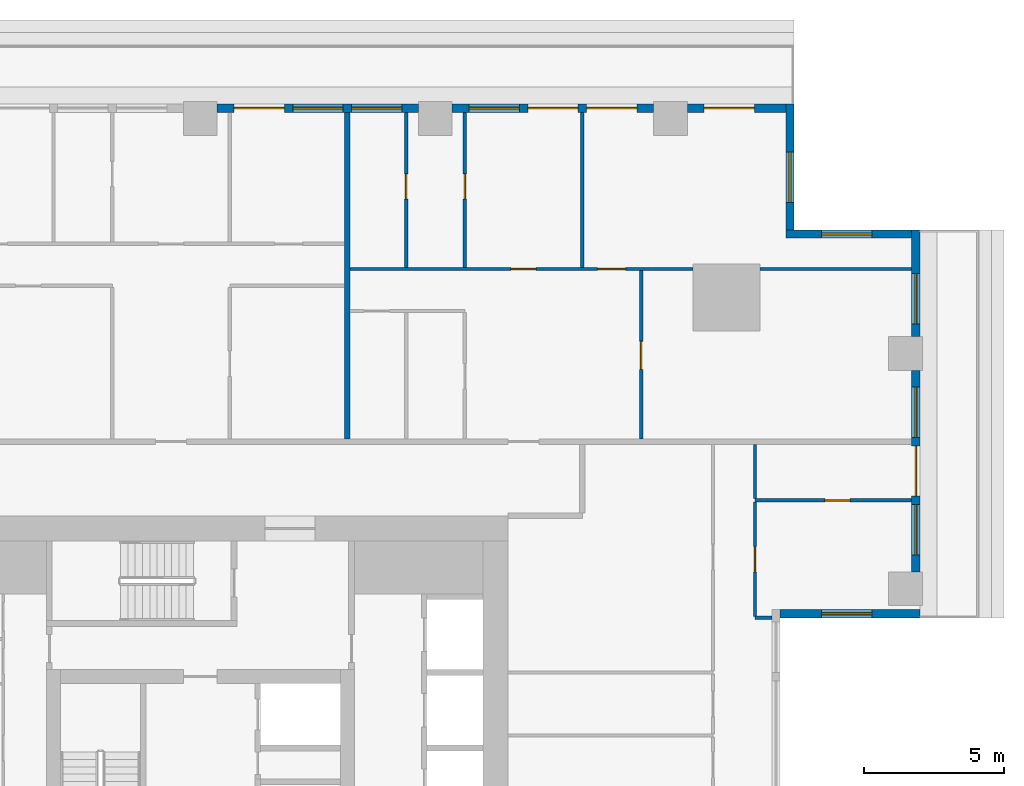
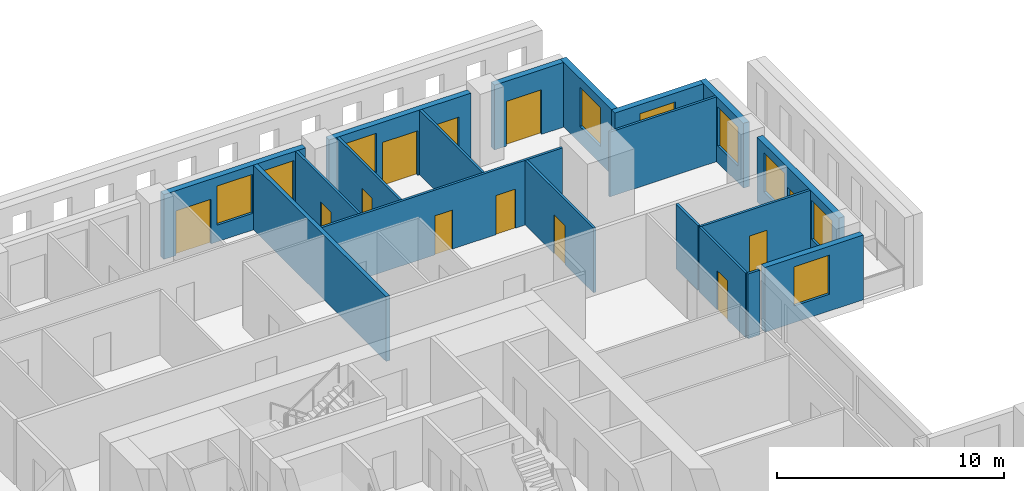
# One storey, part 9 of 16: 19 walls, 12 doors, 9 windows, 21 openings.
"""IFC4 building model written with IfcOpenShell, lengths in metres."""

from ifc_helpers import new_model, si_unit, direction, frame, frame_2d, origin, place, context, subcontext, project, spatial, rectangle, extrude, material, layer, layer_set, type_object, element, fill, save


model = new_model("IFC4")

# Units and contexts
model_context = context("Model", 3, precision=1e-05, world=origin(), true_north=direction((0.0, 1.0)))
body_context = subcontext(model_context, "Body", "Model", "MODEL_VIEW")
ifc_project = project(units=[si_unit("LENGTHUNIT", "METRE"), si_unit("AREAUNIT", "SQUARE_METRE"), si_unit("VOLUMEUNIT", "CUBIC_METRE"), si_unit("PLANEANGLEUNIT", "RADIAN"), si_unit("MASSUNIT", "GRAM", prefix="KILO")], contexts=[model_context])

# Site, building, storey
site_placement = place(None, origin())
site = spatial("IfcSite", under=ifc_project, at=site_placement, CompositionType="ELEMENT")
building_placement = place(site_placement, origin())
building = spatial("IfcBuilding", under=site, at=building_placement, Name="Khepri Terraces", CompositionType="ELEMENT")
storey_placement = place(building_placement, frame((0.0, 0.0, 207.89990234375)))
storey = spatial("IfcBuildingStorey", under=building, at=storey_placement, Name="L49", CompositionType="ELEMENT", Elevation=207.89990234375)

# Wall
ifc_material_1 = material(Name="Fire-rated gypsum plasterboard partition, mineral wool")
ifc_layer_1 = layer(ifc_material_1, 0.199951171875, Name="Fire-rated gypsum plasterboard partition, mineral wool")
ifc_layer_set_1 = layer_set([ifc_layer_1], Name="Fire-rated gypsum plasterboard partition, mineral wool")
wall_type_1 = type_object("IfcWallType", Name="WL-CORR-200", PredefinedType="PARTITIONING", material=ifc_layer_set_1)
wall_1_placement = place(storey_placement, frame((5.25, 13.75, 0.0), z_axis=(0.0, 0.0, 1.0), x_axis=(0.0, 1.0, 0.0)))
element("IfcWall", 1, at=wall_1_placement, inside=storey, type_object=wall_type_1, Name="Partition P-082 L49", PredefinedType="PARTITIONING", context=body_context, shape_type="SweptSolid", body=[
    extrude(rectangle(XDim=11.669921875, YDim=0.199951171875, at=frame_2d((5.8349609375, 0.0))), origin(), (0.0, 0.0, 1.0), 3.47998046875),
])

# Wall, opening, window
ifc_material_2 = material(Name="Precast concrete C50/60 warm stone", Category="masonry")
ifc_layer_2 = layer(ifc_material_2, 0.300048828125, Name="Precast concrete C50/60 warm stone", Category="masonry")
ifc_layer_set_2 = layer_set([ifc_layer_2], Name="Precast concrete C50/60 warm stone")
wall_type_2 = type_object("IfcWallType", Name="WL-EXT-PRECAST-300", PredefinedType="STANDARD", material=ifc_layer_set_2)
wall_2_placement = place(storey_placement, frame((20.719970703125, 7.5, 0.0), z_axis=(0.0, 0.0, 1.0), x_axis=(1.0, 0.0, 0.0)))
wall_2 = element("IfcWall", 2, at=wall_2_placement, inside=storey, type_object=wall_type_2, Name="External wall L49 S", PredefinedType="STANDARD", context=body_context, shape_type="SweptSolid", body=[
    extrude(rectangle(XDim=5.0, YDim=0.300048828125, at=frame_2d((2.5, 0.0))), origin(), (0.0, 0.0, 1.0), 3.47998046875),
])
opening_1_placement = place(wall_2_placement, frame((1.47998046875, 0.0, 0.89990234375)))
opening_1 = element("IfcOpeningElement", 3, at=opening_1_placement, cuts=wall_2, Name="Opening W1", PredefinedType="OPENING", context=body_context, shape_type="SweptSolid", body=[
    extrude(rectangle(XDim=1.800048828125, YDim=2.10009765625, at=frame_2d((0.89990234375, 1.050048828125))), frame((0.0, 0.16015625, 0.0), z_axis=(0.0, -1.0, 0.0), x_axis=(1.0, 0.0, 0.0)), (0.0, 0.0, 1.0), 0.320068359375),
])
ifc_material_3 = material(Name="Clear glass", Category="glass")
window_type = type_object("IfcWindowType", Name="WIN-RES-1800x2100", PartitioningType="SINGLE_PANEL", PredefinedType="WINDOW", material=ifc_material_3)
window_1_placement = place(opening_1_placement, origin())
window_1 = element("IfcWindow", 4, at=window_1_placement, inside=storey, type_object=window_type, Name="Window L49 S", OverallHeight=2.10009765625, OverallWidth=1.800048828125, PartitioningType="SINGLE_PANEL", PredefinedType="WINDOW", context=body_context, shape_type="SweptSolid", body=[
    extrude(rectangle(XDim=1.800048828125, YDim=2.10009765625, at=frame_2d((0.89990234375, 1.050048828125))), frame((0.0, 0.030029296875, 0.0), z_axis=(0.0, -1.0, 0.0), x_axis=(1.0, 0.0, 0.0)), (0.0, 0.0, 1.0), 0.06005859375),
])
fill(opening_1, window_1)

# Wall, openings, door, windows
wall_3_placement = place(storey_placement, frame((25.570068359375, 9.0, 0.0), z_axis=(0.0, 0.0, 1.0), x_axis=(0.0, 1.0, 0.0)))
wall_3 = element("IfcWall", 5, at=wall_3_placement, inside=storey, type_object=wall_type_2, Name="External wall L49 E", PredefinedType="STANDARD", context=body_context, shape_type="SweptSolid", body=[
    extrude(rectangle(XDim=7.199951171875, YDim=0.300048828125, at=frame_2d((3.60009765625, 0.0))), origin(), (0.0, 0.0, 1.0), 3.47998046875),
])
opening_2_placement = place(wall_3_placement, frame((0.60009765625, 0.0, 0.89990234375)))
opening_2 = element("IfcOpeningElement", 6, at=opening_2_placement, cuts=wall_3, Name="Opening W1", PredefinedType="OPENING", context=body_context, shape_type="SweptSolid", body=[
    extrude(rectangle(XDim=1.800048828125, YDim=2.10009765625, at=frame_2d((0.89990234375, 1.050048828125))), frame((0.0, 0.16015625, 0.0), z_axis=(0.0, -1.0, 0.0), x_axis=(1.0, 0.0, 0.0)), (0.0, 0.0, 1.0), 0.320068359375),
])
opening_3_placement = place(wall_3_placement, frame((2.699951171875, 0.0, 0.0)))
opening_3 = element("IfcOpeningElement", 7, at=opening_3_placement, cuts=wall_3, Name="Opening ED-L49-04", PredefinedType="OPENING", context=body_context, shape_type="SweptSolid", body=[
    extrude(rectangle(XDim=1.800048828125, YDim=2.39990234375, at=frame_2d((0.89990234375, 1.199951171875))), frame((0.0, 0.16015625, 0.0), z_axis=(0.0, -1.0, 0.0), x_axis=(1.0, 0.0, 0.0)), (0.0, 0.0, 1.0), 0.320068359375),
])
opening_4_placement = place(wall_3_placement, frame((4.800048828125, 0.0, 0.89990234375)))
opening_4 = element("IfcOpeningElement", 8, at=opening_4_placement, cuts=wall_3, Name="Opening W1", PredefinedType="OPENING", context=body_context, shape_type="SweptSolid", body=[
    extrude(rectangle(XDim=1.800048828125, YDim=2.10009765625, at=frame_2d((0.89990234375, 1.050048828125))), frame((0.0, 0.16015625, 0.0), z_axis=(0.0, -1.0, 0.0), x_axis=(1.0, 0.0, 0.0)), (0.0, 0.0, 1.0), 0.320068359375),
])
ifc_material_4 = material(Name="Anodised aluminium bronze glazed door", Category="aluminium")
door_type_1 = type_object("IfcDoorType", Name="DR-BAL-SLIDE-1800x2400", OperationType="NOTDEFINED", PredefinedType="DOOR", material=ifc_material_4)
door_1_placement = place(opening_3_placement, origin())
door_1 = element("IfcDoor", 9, at=door_1_placement, inside=storey, type_object=door_type_1, Name="Balcony door L49 E", OperationType="SLIDING_TO_RIGHT", OverallHeight=2.39990234375, OverallWidth=1.800048828125, PredefinedType="DOOR", context=body_context, shape_type="SweptSolid", body=[
    extrude(rectangle(XDim=1.800048828125, YDim=2.39990234375, at=frame_2d((0.89990234375, 1.199951171875))), frame((0.0, 0.02490234375, 0.0), z_axis=(0.0, -1.0, 0.0), x_axis=(1.0, 0.0, 0.0)), (0.0, 0.0, 1.0), 0.050048828125),
])
fill(opening_3, door_1)
window_2_placement = place(opening_2_placement, origin())
window_2 = element("IfcWindow", 10, at=window_2_placement, inside=storey, type_object=window_type, Name="Window L49 E", OverallHeight=2.10009765625, OverallWidth=1.800048828125, PartitioningType="SINGLE_PANEL", PredefinedType="WINDOW", context=body_context, shape_type="SweptSolid", body=[
    extrude(rectangle(XDim=1.800048828125, YDim=2.10009765625, at=frame_2d((0.89990234375, 1.050048828125))), frame((0.0, 0.030029296875, 0.0), z_axis=(0.0, -1.0, 0.0), x_axis=(1.0, 0.0, 0.0)), (0.0, 0.0, 1.0), 0.06005859375),
])
fill(opening_2, window_2)
window_3_placement = place(opening_4_placement, origin())
window_3 = element("IfcWindow", 11, at=window_3_placement, inside=storey, type_object=window_type, Name="Window L49 E", OverallHeight=2.10009765625, OverallWidth=1.800048828125, PartitioningType="SINGLE_PANEL", PredefinedType="WINDOW", context=body_context, shape_type="SweptSolid", body=[
    extrude(rectangle(XDim=1.800048828125, YDim=2.10009765625, at=frame_2d((0.89990234375, 1.050048828125))), frame((0.0, 0.030029296875, 0.0), z_axis=(0.0, -1.0, 0.0), x_axis=(1.0, 0.0, 0.0)), (0.0, 0.0, 1.0), 0.06005859375),
])
fill(opening_4, window_3)

# Wall, opening, window
wall_4_placement = place(storey_placement, frame((25.570068359375, 17.39990234375, 0.0), z_axis=(0.0, 0.0, 1.0), x_axis=(0.0, 1.0, 0.0)))
wall_4 = element("IfcWall", 12, at=wall_4_placement, inside=storey, type_object=wall_type_2, Name="External wall L49 E", PredefinedType="STANDARD", context=body_context, shape_type="SweptSolid", body=[
    extrude(rectangle(XDim=3.820068359375, YDim=0.300048828125, at=frame_2d((1.91015625, 0.0))), origin(), (0.0, 0.0, 1.0), 3.47998046875),
])
opening_5_placement = place(wall_4_placement, frame((0.4599609375, 0.0, 0.89990234375)))
opening_5 = element("IfcOpeningElement", 13, at=opening_5_placement, cuts=wall_4, Name="Opening W1", PredefinedType="OPENING", context=body_context, shape_type="SweptSolid", body=[
    extrude(rectangle(XDim=1.800048828125, YDim=2.10009765625, at=frame_2d((0.89990234375, 1.050048828125))), frame((0.0, 0.16015625, 0.0), z_axis=(0.0, -1.0, 0.0), x_axis=(1.0, 0.0, 0.0)), (0.0, 0.0, 1.0), 0.320068359375),
])
window_4_placement = place(opening_5_placement, origin())
window_4 = element("IfcWindow", 14, at=window_4_placement, inside=storey, type_object=window_type, Name="Window L49 E", OverallHeight=2.10009765625, OverallWidth=1.800048828125, PartitioningType="SINGLE_PANEL", PredefinedType="WINDOW", context=body_context, shape_type="SweptSolid", body=[
    extrude(rectangle(XDim=1.800048828125, YDim=2.10009765625, at=frame_2d((0.89990234375, 1.050048828125))), frame((0.0, 0.030029296875, 0.0), z_axis=(0.0, -1.0, 0.0), x_axis=(1.0, 0.0, 0.0)), (0.0, 0.0, 1.0), 0.06005859375),
])
fill(opening_5, window_4)

wall_5_placement = place(storey_placement, frame((25.419921875, 21.070068359375, 0.0), z_axis=(0.0, 0.0, 1.0), x_axis=(-1.0, 0.0, 0.0)))
wall_5 = element("IfcWall", 15, at=wall_5_placement, inside=storey, type_object=wall_type_2, Name="External wall L49 N", PredefinedType="STANDARD", context=body_context, shape_type="SweptSolid", body=[
    extrude(rectangle(XDim=4.5, YDim=0.300048828125, at=frame_2d((2.25, 0.0))), origin(), (0.0, 0.0, 1.0), 3.47998046875),
])
opening_6_placement = place(wall_5_placement, frame((1.419921875, 0.0, 0.89990234375)))
opening_6 = element("IfcOpeningElement", 16, at=opening_6_placement, cuts=wall_5, Name="Opening W1", PredefinedType="OPENING", context=body_context, shape_type="SweptSolid", body=[
    extrude(rectangle(XDim=1.800048828125, YDim=2.10009765625, at=frame_2d((0.89990234375, 1.050048828125))), frame((0.0, 0.16015625, 0.0), z_axis=(0.0, -1.0, 0.0), x_axis=(1.0, 0.0, 0.0)), (0.0, 0.0, 1.0), 0.320068359375),
])
window_5_placement = place(opening_6_placement, origin())
window_5 = element("IfcWindow", 17, at=window_5_placement, inside=storey, type_object=window_type, Name="Window L49 N", OverallHeight=2.10009765625, OverallWidth=1.800048828125, PartitioningType="SINGLE_PANEL", PredefinedType="WINDOW", context=body_context, shape_type="SweptSolid", body=[
    extrude(rectangle(XDim=1.800048828125, YDim=2.10009765625, at=frame_2d((0.89990234375, 1.050048828125))), frame((0.0, 0.030029296875, 0.0), z_axis=(0.0, -1.0, 0.0), x_axis=(1.0, 0.0, 0.0)), (0.0, 0.0, 1.0), 0.06005859375),
])
fill(opening_6, window_5)

wall_6_placement = place(storey_placement, frame((21.070068359375, 21.219970703125, 0.0), z_axis=(0.0, 0.0, 1.0), x_axis=(0.0, 1.0, 0.0)))
wall_6 = element("IfcWall", 18, at=wall_6_placement, inside=storey, type_object=wall_type_2, Name="External wall L49 E", PredefinedType="STANDARD", context=body_context, shape_type="SweptSolid", body=[
    extrude(rectangle(XDim=4.5, YDim=0.300048828125, at=frame_2d((2.25, 0.0))), origin(), (0.0, 0.0, 1.0), 3.47998046875),
])
opening_7_placement = place(wall_6_placement, frame((0.97998046875, 0.0, 0.89990234375)))
opening_7 = element("IfcOpeningElement", 19, at=opening_7_placement, cuts=wall_6, Name="Opening W1", PredefinedType="OPENING", context=body_context, shape_type="SweptSolid", body=[
    extrude(rectangle(XDim=1.800048828125, YDim=2.10009765625, at=frame_2d((0.89990234375, 1.050048828125))), frame((0.0, 0.16015625, 0.0), z_axis=(0.0, -1.0, 0.0), x_axis=(1.0, 0.0, 0.0)), (0.0, 0.0, 1.0), 0.320068359375),
])
window_6_placement = place(opening_7_placement, origin())
window_6 = element("IfcWindow", 20, at=window_6_placement, inside=storey, type_object=window_type, Name="Window L49 E", OverallHeight=2.10009765625, OverallWidth=1.800048828125, PartitioningType="SINGLE_PANEL", PredefinedType="WINDOW", context=body_context, shape_type="SweptSolid", body=[
    extrude(rectangle(XDim=1.800048828125, YDim=2.10009765625, at=frame_2d((0.89990234375, 1.050048828125))), frame((0.0, 0.030029296875, 0.0), z_axis=(0.0, -1.0, 0.0), x_axis=(1.0, 0.0, 0.0)), (0.0, 0.0, 1.0), 0.06005859375),
])
fill(opening_7, window_6)

# Wall, opening, door
wall_7_placement = place(storey_placement, frame((20.919921875, 25.570068359375, 0.0), z_axis=(0.0, 0.0, 1.0), x_axis=(-1.0, 0.0, 0.0)))
wall_7 = element("IfcWall", 21, at=wall_7_placement, inside=storey, type_object=wall_type_2, Name="External wall L49 N", PredefinedType="STANDARD", context=body_context, shape_type="SweptSolid", body=[
    extrude(rectangle(XDim=3.52001953125, YDim=0.300048828125, at=frame_2d((1.760009765625, 0.0))), origin(), (0.0, 0.0, 1.0), 3.47998046875),
])
opening_8_placement = place(wall_7_placement, frame((1.1201171875, 0.0, 0.0)))
opening_8 = element("IfcOpeningElement", 22, at=opening_8_placement, cuts=wall_7, Name="Opening ED-L49-05", PredefinedType="OPENING", context=body_context, shape_type="SweptSolid", body=[
    extrude(rectangle(XDim=1.800048828125, YDim=2.39990234375, at=frame_2d((0.89990234375, 1.199951171875))), frame((0.0, 0.16015625, 0.0), z_axis=(0.0, -1.0, 0.0), x_axis=(1.0, 0.0, 0.0)), (0.0, 0.0, 1.0), 0.320068359375),
])
door_2_placement = place(opening_8_placement, origin())
door_2 = element("IfcDoor", 23, at=door_2_placement, inside=storey, type_object=door_type_1, Name="Balcony door L49 N", OperationType="SLIDING_TO_RIGHT", OverallHeight=2.39990234375, OverallWidth=1.800048828125, PredefinedType="DOOR", context=body_context, shape_type="SweptSolid", body=[
    extrude(rectangle(XDim=1.800048828125, YDim=2.39990234375, at=frame_2d((0.89990234375, 1.199951171875))), frame((0.0, 0.02490234375, 0.0), z_axis=(0.0, -1.0, 0.0), x_axis=(1.0, 0.0, 0.0)), (0.0, 0.0, 1.0), 0.050048828125),
])
fill(opening_8, door_2)

# Wall, openings, doors, window
wall_8_placement = place(storey_placement, frame((16.199951171875, 25.570068359375, 0.0), z_axis=(0.0, 0.0, 1.0), x_axis=(-1.0, 0.0, 0.0)))
wall_8 = element("IfcWall", 24, at=wall_8_placement, inside=storey, type_object=wall_type_2, Name="External wall L49 N", PredefinedType="STANDARD", context=body_context, shape_type="SweptSolid", body=[
    extrude(rectangle(XDim=7.199951171875, YDim=0.300048828125, at=frame_2d((3.60009765625, 0.0))), origin(), (0.0, 0.0, 1.0), 3.47998046875),
])
opening_9_placement = place(wall_8_placement, frame((0.60009765625, 0.0, 0.0)))
opening_9 = element("IfcOpeningElement", 25, at=opening_9_placement, cuts=wall_8, Name="Opening ED-L49-06", PredefinedType="OPENING", context=body_context, shape_type="SweptSolid", body=[
    extrude(rectangle(XDim=1.800048828125, YDim=2.39990234375, at=frame_2d((0.89990234375, 1.199951171875))), frame((0.0, 0.16015625, 0.0), z_axis=(0.0, -1.0, 0.0), x_axis=(1.0, 0.0, 0.0)), (0.0, 0.0, 1.0), 0.320068359375),
])
opening_10_placement = place(wall_8_placement, frame((2.699951171875, 0.0, 0.0)))
opening_10 = element("IfcOpeningElement", 26, at=opening_10_placement, cuts=wall_8, Name="Opening ED-L49-07", PredefinedType="OPENING", context=body_context, shape_type="SweptSolid", body=[
    extrude(rectangle(XDim=1.800048828125, YDim=2.39990234375, at=frame_2d((0.89990234375, 1.199951171875))), frame((0.0, 0.16015625, 0.0), z_axis=(0.0, -1.0, 0.0), x_axis=(1.0, 0.0, 0.0)), (0.0, 0.0, 1.0), 0.320068359375),
])
opening_11_placement = place(wall_8_placement, frame((4.800048828125, 0.0, 0.89990234375)))
opening_11 = element("IfcOpeningElement", 27, at=opening_11_placement, cuts=wall_8, Name="Opening W1", PredefinedType="OPENING", context=body_context, shape_type="SweptSolid", body=[
    extrude(rectangle(XDim=1.800048828125, YDim=2.10009765625, at=frame_2d((0.89990234375, 1.050048828125))), frame((0.0, 0.16015625, 0.0), z_axis=(0.0, -1.0, 0.0), x_axis=(1.0, 0.0, 0.0)), (0.0, 0.0, 1.0), 0.320068359375),
])
door_3_placement = place(opening_9_placement, origin())
door_3 = element("IfcDoor", 28, at=door_3_placement, inside=storey, type_object=door_type_1, Name="Balcony door L49 N", OperationType="SLIDING_TO_LEFT", OverallHeight=2.39990234375, OverallWidth=1.800048828125, PredefinedType="DOOR", context=body_context, shape_type="SweptSolid", body=[
    extrude(rectangle(XDim=1.800048828125, YDim=2.39990234375, at=frame_2d((0.89990234375, 1.199951171875))), frame((0.0, 0.02490234375, 0.0), z_axis=(0.0, -1.0, 0.0), x_axis=(1.0, 0.0, 0.0)), (0.0, 0.0, 1.0), 0.050048828125),
])
fill(opening_9, door_3)
door_4_placement = place(opening_10_placement, origin())
door_4 = element("IfcDoor", 29, at=door_4_placement, inside=storey, type_object=door_type_1, Name="Balcony door L49 N", OperationType="SLIDING_TO_RIGHT", OverallHeight=2.39990234375, OverallWidth=1.800048828125, PredefinedType="DOOR", context=body_context, shape_type="SweptSolid", body=[
    extrude(rectangle(XDim=1.800048828125, YDim=2.39990234375, at=frame_2d((0.89990234375, 1.199951171875))), frame((0.0, 0.02490234375, 0.0), z_axis=(0.0, -1.0, 0.0), x_axis=(1.0, 0.0, 0.0)), (0.0, 0.0, 1.0), 0.050048828125),
])
fill(opening_10, door_4)
window_7_placement = place(opening_11_placement, origin())
window_7 = element("IfcWindow", 30, at=window_7_placement, inside=storey, type_object=window_type, Name="Window L49 N", OverallHeight=2.10009765625, OverallWidth=1.800048828125, PartitioningType="SINGLE_PANEL", PredefinedType="WINDOW", context=body_context, shape_type="SweptSolid", body=[
    extrude(rectangle(XDim=1.800048828125, YDim=2.10009765625, at=frame_2d((0.89990234375, 1.050048828125))), frame((0.0, 0.030029296875, 0.0), z_axis=(0.0, -1.0, 0.0), x_axis=(1.0, 0.0, 0.0)), (0.0, 0.0, 1.0), 0.06005859375),
])
fill(opening_11, window_7)

# Wall, openings, door, windows
wall_9_placement = place(storey_placement, frame((7.800048828125, 25.570068359375, 0.0), z_axis=(0.0, 0.0, 1.0), x_axis=(-1.0, 0.0, 0.0)))
wall_9 = element("IfcWall", 31, at=wall_9_placement, inside=storey, type_object=wall_type_2, Name="External wall L49 N", PredefinedType="STANDARD", context=body_context, shape_type="SweptSolid", body=[
    extrude(rectangle(XDim=7.199951171875, YDim=0.300048828125, at=frame_2d((3.60009765625, 0.0))), origin(), (0.0, 0.0, 1.0), 3.47998046875),
])
opening_12_placement = place(wall_9_placement, frame((0.60009765625, 0.0, 0.89990234375)))
opening_12 = element("IfcOpeningElement", 32, at=opening_12_placement, cuts=wall_9, Name="Opening W1", PredefinedType="OPENING", context=body_context, shape_type="SweptSolid", body=[
    extrude(rectangle(XDim=1.800048828125, YDim=2.10009765625, at=frame_2d((0.89990234375, 1.050048828125))), frame((0.0, 0.16015625, 0.0), z_axis=(0.0, -1.0, 0.0), x_axis=(1.0, 0.0, 0.0)), (0.0, 0.0, 1.0), 0.320068359375),
])
opening_13_placement = place(wall_9_placement, frame((2.699951171875, 0.0, 0.89990234375)))
opening_13 = element("IfcOpeningElement", 33, at=opening_13_placement, cuts=wall_9, Name="Opening W1", PredefinedType="OPENING", context=body_context, shape_type="SweptSolid", body=[
    extrude(rectangle(XDim=1.800048828125, YDim=2.10009765625, at=frame_2d((0.89990234375, 1.050048828125))), frame((0.0, 0.16015625, 0.0), z_axis=(0.0, -1.0, 0.0), x_axis=(1.0, 0.0, 0.0)), (0.0, 0.0, 1.0), 0.320068359375),
])
opening_14_placement = place(wall_9_placement, frame((4.800048828125, 0.0, 0.0)))
opening_14 = element("IfcOpeningElement", 34, at=opening_14_placement, cuts=wall_9, Name="Opening ED-L49-08", PredefinedType="OPENING", context=body_context, shape_type="SweptSolid", body=[
    extrude(rectangle(XDim=1.800048828125, YDim=2.39990234375, at=frame_2d((0.89990234375, 1.199951171875))), frame((0.0, 0.16015625, 0.0), z_axis=(0.0, -1.0, 0.0), x_axis=(1.0, 0.0, 0.0)), (0.0, 0.0, 1.0), 0.320068359375),
])
door_5_placement = place(opening_14_placement, origin())
door_5 = element("IfcDoor", 35, at=door_5_placement, inside=storey, type_object=door_type_1, Name="Balcony door L49 N", OperationType="SLIDING_TO_RIGHT", OverallHeight=2.39990234375, OverallWidth=1.800048828125, PredefinedType="DOOR", context=body_context, shape_type="SweptSolid", body=[
    extrude(rectangle(XDim=1.800048828125, YDim=2.39990234375, at=frame_2d((0.89990234375, 1.199951171875))), frame((0.0, 0.02490234375, 0.0), z_axis=(0.0, -1.0, 0.0), x_axis=(1.0, 0.0, 0.0)), (0.0, 0.0, 1.0), 0.050048828125),
])
fill(opening_14, door_5)
window_8_placement = place(opening_12_placement, origin())
window_8 = element("IfcWindow", 36, at=window_8_placement, inside=storey, type_object=window_type, Name="Window L49 N", OverallHeight=2.10009765625, OverallWidth=1.800048828125, PartitioningType="SINGLE_PANEL", PredefinedType="WINDOW", context=body_context, shape_type="SweptSolid", body=[
    extrude(rectangle(XDim=1.800048828125, YDim=2.10009765625, at=frame_2d((0.89990234375, 1.050048828125))), frame((0.0, 0.030029296875, 0.0), z_axis=(0.0, -1.0, 0.0), x_axis=(1.0, 0.0, 0.0)), (0.0, 0.0, 1.0), 0.06005859375),
])
fill(opening_12, window_8)
window_9_placement = place(opening_13_placement, origin())
window_9 = element("IfcWindow", 37, at=window_9_placement, inside=storey, type_object=window_type, Name="Window L49 N", OverallHeight=2.10009765625, OverallWidth=1.800048828125, PartitioningType="SINGLE_PANEL", PredefinedType="WINDOW", context=body_context, shape_type="SweptSolid", body=[
    extrude(rectangle(XDim=1.800048828125, YDim=2.10009765625, at=frame_2d((0.89990234375, 1.050048828125))), frame((0.0, 0.030029296875, 0.0), z_axis=(0.0, -1.0, 0.0), x_axis=(1.0, 0.0, 0.0)), (0.0, 0.0, 1.0), 0.06005859375),
])
fill(opening_13, window_9)

# Wall
ifc_material_5 = material(Name="Gypsum plasterboard partition")
ifc_layer_3 = layer(ifc_material_5, 0.1201171875, Name="Gypsum plasterboard partition")
ifc_layer_set_3 = layer_set([ifc_layer_3], Name="Gypsum plasterboard partition")
wall_type_3 = type_object("IfcWallType", Name="WL-PART-120", PredefinedType="PARTITIONING", material=ifc_layer_set_3)
wall_10_placement = place(storey_placement, frame((19.820068359375, 7.35009765625, 0.0), z_axis=(0.0, 0.0, 1.0), x_axis=(1.0, 0.0, 0.0)))
element("IfcWall", 38, at=wall_10_placement, inside=storey, type_object=wall_type_3, Name="Partition P-066 L49", PredefinedType="PARTITIONING", context=body_context, shape_type="SweptSolid", body=[
    extrude(rectangle(XDim=0.599853515625, YDim=0.1201171875, at=frame_2d((0.2998046875, 0.0))), origin(), (0.0, 0.0, 1.0), 3.47998046875),
])

# Wall, opening, door
wall_11_placement = place(storey_placement, frame((19.820068359375, 7.409912109375, 0.0), z_axis=(0.0, 0.0, 1.0), x_axis=(0.0, 1.0, 0.0)))
wall_11 = element("IfcWall", 39, at=wall_11_placement, inside=storey, type_object=wall_type_3, Name="Partition P-068 L49", PredefinedType="PARTITIONING", context=body_context, shape_type="SweptSolid", body=[
    extrude(rectangle(XDim=4.080078125, YDim=0.1201171875, at=frame_2d((2.0400390625, 0.0))), origin(), (0.0, 0.0, 1.0), 3.47998046875),
])
opening_15_placement = place(wall_11_placement, frame((1.590087890625, 0.0, 0.0)))
opening_15 = element("IfcOpeningElement", 40, at=opening_15_placement, cuts=wall_11, Name="Opening D3", PredefinedType="OPENING", context=body_context, shape_type="SweptSolid", body=[
    extrude(rectangle(XDim=0.89990234375, YDim=2.10009765625, at=frame_2d((0.449951171875, 1.050048828125))), frame((0.0, 0.070068359375, 0.0), z_axis=(0.0, -1.0, 0.0), x_axis=(1.0, 0.0, 0.0)), (0.0, 0.0, 1.0), 0.14013671875),
])
ifc_material_6 = material(Name="Timber door leaf", Category="wood")
door_type_2 = type_object("IfcDoorType", Name="DR-INT-900", OperationType="NOTDEFINED", PredefinedType="DOOR", material=ifc_material_6)
door_6_placement = place(opening_15_placement, frame((0.89990234375, 0.0, 0.0), z_axis=(0.0, 0.0, 1.0), x_axis=(-1.0, 0.0, 0.0)))
door_6 = element("IfcDoor", 41, at=door_6_placement, inside=storey, type_object=door_type_2, Name="Door Bedroom", OperationType="SINGLE_SWING_RIGHT", OverallHeight=2.10009765625, OverallWidth=0.89990234375, PredefinedType="DOOR", context=body_context, shape_type="SweptSolid", body=[
    extrude(rectangle(XDim=0.89990234375, YDim=2.10009765625, at=frame_2d((0.449951171875, 1.050048828125))), frame((0.0, 0.02490234375, 0.0), z_axis=(0.0, -1.0, 0.0), x_axis=(1.0, 0.0, 0.0)), (0.0, 0.0, 1.0), 0.050048828125),
])
fill(opening_15, door_6)

wall_12_placement = place(storey_placement, frame((19.820068359375, 11.550048828125, 0.0), z_axis=(0.0, 0.0, 1.0), x_axis=(1.0, 0.0, 0.0)))
wall_12 = element("IfcWall", 42, at=wall_12_placement, inside=storey, type_object=wall_type_3, Name="Partition P-072 L49", PredefinedType="PARTITIONING", context=body_context, shape_type="SweptSolid", body=[
    extrude(rectangle(XDim=5.599853515625, YDim=0.1201171875, at=frame_2d((2.7998046875, 0.0))), origin(), (0.0, 0.0, 1.0), 3.47998046875),
])
opening_16_placement = place(wall_12_placement, frame((2.5, 0.0, 0.0)))
opening_16 = element("IfcOpeningElement", 43, at=opening_16_placement, cuts=wall_12, Name="Opening D4", PredefinedType="OPENING", context=body_context, shape_type="SweptSolid", body=[
    extrude(rectangle(XDim=0.89990234375, YDim=2.10009765625, at=frame_2d((0.449951171875, 1.050048828125))), frame((0.0, 0.070068359375, 0.0), z_axis=(0.0, -1.0, 0.0), x_axis=(1.0, 0.0, 0.0)), (0.0, 0.0, 1.0), 0.14013671875),
])
ifc_material_7 = material(Name="Timber door leaf, moisture resistant", Category="wood")
door_type_3 = type_object("IfcDoorType", Name="DR-WET-900", OperationType="NOTDEFINED", PredefinedType="DOOR", material=ifc_material_7)
door_7_placement = place(opening_16_placement, origin())
door_7 = element("IfcDoor", 44, at=door_7_placement, inside=storey, type_object=door_type_3, Name="Door Bathroom", OperationType="SINGLE_SWING_RIGHT", OverallHeight=2.10009765625, OverallWidth=0.89990234375, PredefinedType="DOOR", context=body_context, shape_type="SweptSolid", body=[
    extrude(rectangle(XDim=0.89990234375, YDim=2.10009765625, at=frame_2d((0.449951171875, 1.050048828125))), frame((0.0, 0.02490234375, 0.0), z_axis=(0.0, -1.0, 0.0), x_axis=(1.0, 0.0, 0.0)), (0.0, 0.0, 1.0), 0.050048828125),
])
fill(opening_16, door_7)

# Wall
wall_13_placement = place(storey_placement, frame((19.820068359375, 11.610107421875, 0.0), z_axis=(0.0, 0.0, 1.0), x_axis=(0.0, 1.0, 0.0)))
element("IfcWall", 45, at=wall_13_placement, inside=storey, type_object=wall_type_3, Name="Partition P-073 L49", PredefinedType="PARTITIONING", context=body_context, shape_type="SweptSolid", body=[
    extrude(rectangle(XDim=1.93994140625, YDim=0.1201171875, at=frame_2d((0.969970703125, 0.0))), origin(), (0.0, 0.0, 1.0), 3.47998046875),
])

# Wall, opening, door
wall_14_placement = place(storey_placement, frame((15.75, 13.75, 0.0), z_axis=(0.0, 0.0, 1.0), x_axis=(0.0, 1.0, 0.0)))
wall_14 = element("IfcWall", 46, at=wall_14_placement, inside=storey, type_object=wall_type_3, Name="Partition P-085 L49", PredefinedType="PARTITIONING", context=body_context, shape_type="SweptSolid", body=[
    extrude(rectangle(XDim=6.010009765625, YDim=0.1201171875, at=frame_2d((3.0048828125, 0.0))), origin(), (0.0, 0.0, 1.0), 3.47998046875),
])
opening_17_placement = place(wall_14_placement, frame((2.485107421875, 0.0, 0.0)))
opening_17 = element("IfcOpeningElement", 47, at=opening_17_placement, cuts=wall_14, Name="Opening D2", PredefinedType="OPENING", context=body_context, shape_type="SweptSolid", body=[
    extrude(rectangle(XDim=1.0, YDim=2.10009765625, at=frame_2d((0.5, 1.050048828125))), frame((0.0, 0.070068359375, 0.0), z_axis=(0.0, -1.0, 0.0), x_axis=(1.0, 0.0, 0.0)), (0.0, 0.0, 1.0), 0.14013671875),
])
ifc_material_8 = material(Name="Timber door leaf, living room door", Category="wood")
door_type_4 = type_object("IfcDoorType", Name="DR-INT-1000", OperationType="NOTDEFINED", PredefinedType="DOOR", material=ifc_material_8)
door_8_placement = place(opening_17_placement, frame((1.0, 0.0, 0.0), z_axis=(0.0, 0.0, 1.0), x_axis=(-1.0, 0.0, 0.0)))
door_8 = element("IfcDoor", 48, at=door_8_placement, inside=storey, type_object=door_type_4, Name="Door Family Room", OperationType="SINGLE_SWING_RIGHT", OverallHeight=2.10009765625, OverallWidth=1.0, PredefinedType="DOOR", context=body_context, shape_type="SweptSolid", body=[
    extrude(rectangle(XDim=1.0, YDim=2.10009765625, at=frame_2d((0.5, 1.050048828125))), frame((0.0, 0.02490234375, 0.0), z_axis=(0.0, -1.0, 0.0), x_axis=(1.0, 0.0, 0.0)), (0.0, 0.0, 1.0), 0.050048828125),
])
fill(opening_17, door_8)

# Wall, openings, doors
wall_15_placement = place(storey_placement, frame((5.35009765625, 19.820068359375, 0.0), z_axis=(0.0, 0.0, 1.0), x_axis=(1.0, 0.0, 0.0)))
wall_15 = element("IfcWall", 49, at=wall_15_placement, inside=storey, type_object=wall_type_3, Name="Partition P-091 L49", PredefinedType="PARTITIONING", context=body_context, shape_type="SweptSolid", body=[
    extrude(rectangle(XDim=12.25, YDim=0.1201171875, at=frame_2d((6.125, 0.0))), origin(), (0.0, 0.0, 1.0), 3.47998046875),
])
opening_18_placement = place(wall_15_placement, frame((8.85009765625, 0.0, 0.0)))
opening_18 = element("IfcOpeningElement", 50, at=opening_18_placement, cuts=wall_15, Name="Opening D2", PredefinedType="OPENING", context=body_context, shape_type="SweptSolid", body=[
    extrude(rectangle(XDim=1.0, YDim=2.10009765625, at=frame_2d((0.5, 1.050048828125))), frame((0.0, 0.070068359375, 0.0), z_axis=(0.0, -1.0, 0.0), x_axis=(1.0, 0.0, 0.0)), (0.0, 0.0, 1.0), 0.14013671875),
])
opening_19_placement = place(wall_15_placement, frame((5.75, 0.0, 0.0)))
opening_19 = element("IfcOpeningElement", 51, at=opening_19_placement, cuts=wall_15, Name="Opening D3", PredefinedType="OPENING", context=body_context, shape_type="SweptSolid", body=[
    extrude(rectangle(XDim=0.89990234375, YDim=2.10009765625, at=frame_2d((0.449951171875, 1.050048828125))), frame((0.0, 0.070068359375, 0.0), z_axis=(0.0, -1.0, 0.0), x_axis=(1.0, 0.0, 0.0)), (0.0, 0.0, 1.0), 0.14013671875),
])
door_9_placement = place(opening_18_placement, origin())
door_9 = element("IfcDoor", 52, at=door_9_placement, inside=storey, type_object=door_type_4, Name="Door Living Room", OperationType="SINGLE_SWING_RIGHT", OverallHeight=2.10009765625, OverallWidth=1.0, PredefinedType="DOOR", context=body_context, shape_type="SweptSolid", body=[
    extrude(rectangle(XDim=1.0, YDim=2.10009765625, at=frame_2d((0.5, 1.050048828125))), frame((0.0, 0.02490234375, 0.0), z_axis=(0.0, -1.0, 0.0), x_axis=(1.0, 0.0, 0.0)), (0.0, 0.0, 1.0), 0.050048828125),
])
fill(opening_18, door_9)
door_10_placement = place(opening_19_placement, origin())
door_10 = element("IfcDoor", 53, at=door_10_placement, inside=storey, type_object=door_type_2, Name="Door Master Bedroom", OperationType="SINGLE_SWING_RIGHT", OverallHeight=2.10009765625, OverallWidth=0.89990234375, PredefinedType="DOOR", context=body_context, shape_type="SweptSolid", body=[
    extrude(rectangle(XDim=0.89990234375, YDim=2.10009765625, at=frame_2d((0.449951171875, 1.050048828125))), frame((0.0, 0.02490234375, 0.0), z_axis=(0.0, -1.0, 0.0), x_axis=(1.0, 0.0, 0.0)), (0.0, 0.0, 1.0), 0.050048828125),
])
fill(opening_19, door_10)

# Wall
wall_16_placement = place(storey_placement, frame((20.0, 19.820068359375, 0.0), z_axis=(0.0, 0.0, 1.0), x_axis=(1.0, 0.0, 0.0)))
element("IfcWall", 54, at=wall_16_placement, inside=storey, type_object=wall_type_3, Name="Partition P-092 L49", PredefinedType="PARTITIONING", context=body_context, shape_type="SweptSolid", body=[
    extrude(rectangle(XDim=5.419921875, YDim=0.1201171875, at=frame_2d((2.7099609375, 0.0))), origin(), (0.0, 0.0, 1.0), 3.47998046875),
])

# Wall, opening, door
wall_17_placement = place(storey_placement, frame((7.35009765625, 19.8798828125, 0.0), z_axis=(0.0, 0.0, 1.0), x_axis=(0.0, 1.0, 0.0)))
wall_17 = element("IfcWall", 55, at=wall_17_placement, inside=storey, type_object=wall_type_3, Name="Partition P-093 L49", PredefinedType="PARTITIONING", context=body_context, shape_type="SweptSolid", body=[
    extrude(rectangle(XDim=5.5400390625, YDim=0.1201171875, at=frame_2d((2.77001953125, 0.0))), origin(), (0.0, 0.0, 1.0), 3.47998046875),
])
opening_20_placement = place(wall_17_placement, frame((2.43994140625, 0.0, 0.0)))
opening_20 = element("IfcOpeningElement", 56, at=opening_20_placement, cuts=wall_17, Name="Opening D4", PredefinedType="OPENING", context=body_context, shape_type="SweptSolid", body=[
    extrude(rectangle(XDim=0.89990234375, YDim=2.10009765625, at=frame_2d((0.449951171875, 1.050048828125))), frame((0.0, 0.070068359375, 0.0), z_axis=(0.0, -1.0, 0.0), x_axis=(1.0, 0.0, 0.0)), (0.0, 0.0, 1.0), 0.14013671875),
])
door_11_placement = place(opening_20_placement, origin())
door_11 = element("IfcDoor", 57, at=door_11_placement, inside=storey, type_object=door_type_3, Name="Door Bathroom", OperationType="SINGLE_SWING_RIGHT", OverallHeight=2.10009765625, OverallWidth=0.89990234375, PredefinedType="DOOR", context=body_context, shape_type="SweptSolid", body=[
    extrude(rectangle(XDim=0.89990234375, YDim=2.10009765625, at=frame_2d((0.449951171875, 1.050048828125))), frame((0.0, 0.02490234375, 0.0), z_axis=(0.0, -1.0, 0.0), x_axis=(1.0, 0.0, 0.0)), (0.0, 0.0, 1.0), 0.050048828125),
])
fill(opening_20, door_11)

wall_18_placement = place(storey_placement, frame((9.449951171875, 19.8798828125, 0.0), z_axis=(0.0, 0.0, 1.0), x_axis=(0.0, 1.0, 0.0)))
wall_18 = element("IfcWall", 58, at=wall_18_placement, inside=storey, type_object=wall_type_3, Name="Partition P-094 L49", PredefinedType="PARTITIONING", context=body_context, shape_type="SweptSolid", body=[
    extrude(rectangle(XDim=5.5400390625, YDim=0.1201171875, at=frame_2d((2.77001953125, 0.0))), origin(), (0.0, 0.0, 1.0), 3.47998046875),
])
opening_21_placement = place(wall_18_placement, frame((2.43994140625, 0.0, 0.0)))
opening_21 = element("IfcOpeningElement", 59, at=opening_21_placement, cuts=wall_18, Name="Opening D3", PredefinedType="OPENING", context=body_context, shape_type="SweptSolid", body=[
    extrude(rectangle(XDim=0.89990234375, YDim=2.10009765625, at=frame_2d((0.449951171875, 1.050048828125))), frame((0.0, 0.070068359375, 0.0), z_axis=(0.0, -1.0, 0.0), x_axis=(1.0, 0.0, 0.0)), (0.0, 0.0, 1.0), 0.14013671875),
])
door_12_placement = place(opening_21_placement, origin())
door_12 = element("IfcDoor", 60, at=door_12_placement, inside=storey, type_object=door_type_2, Name="Door Dressing Room", OperationType="SINGLE_SWING_RIGHT", OverallHeight=2.10009765625, OverallWidth=0.89990234375, PredefinedType="DOOR", context=body_context, shape_type="SweptSolid", body=[
    extrude(rectangle(XDim=0.89990234375, YDim=2.10009765625, at=frame_2d((0.449951171875, 1.050048828125))), frame((0.0, 0.02490234375, 0.0), z_axis=(0.0, -1.0, 0.0), x_axis=(1.0, 0.0, 0.0)), (0.0, 0.0, 1.0), 0.050048828125),
])
fill(opening_21, door_12)

# Wall
wall_19_placement = place(storey_placement, frame((13.64990234375, 19.8798828125, 0.0), z_axis=(0.0, 0.0, 1.0), x_axis=(0.0, 1.0, 0.0)))
element("IfcWall", 61, at=wall_19_placement, inside=storey, type_object=wall_type_3, Name="Partition P-095 L49", PredefinedType="PARTITIONING", context=body_context, shape_type="SweptSolid", body=[
    extrude(rectangle(XDim=5.5400390625, YDim=0.1201171875, at=frame_2d((2.77001953125, 0.0))), origin(), (0.0, 0.0, 1.0), 3.47998046875),
])

save(model, "model.ifc")
